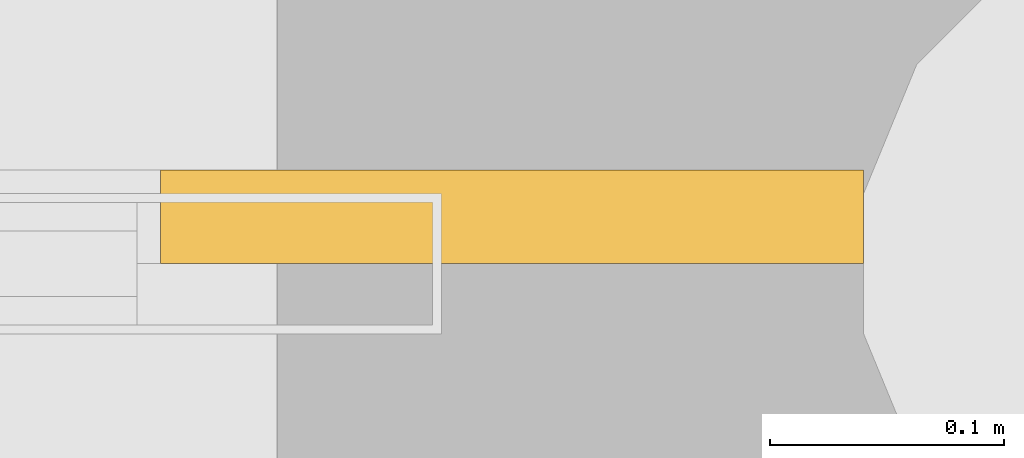
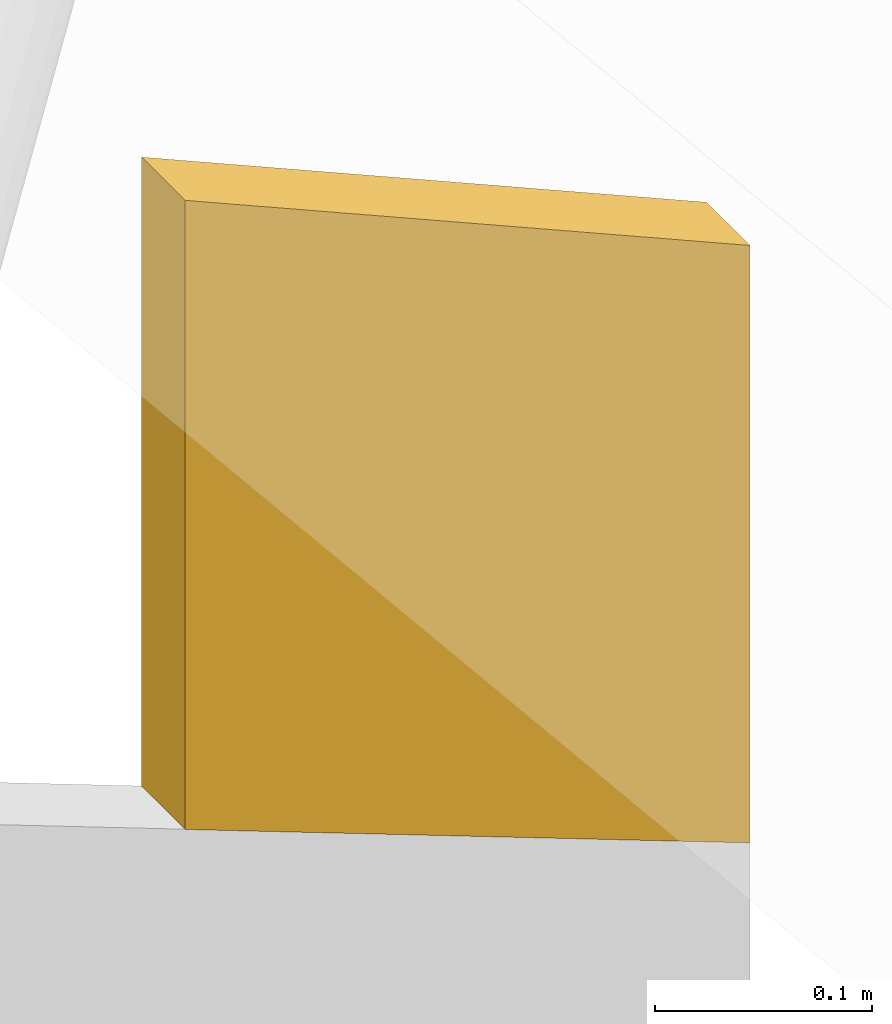
# One storey, part 437 of 437: 1 covering.
"""IFC4 building model written with IfcOpenShell, lengths in metres."""

from ifc_helpers import new_model, si_unit, direction, frame, origin, place, context, subcontext, project, spatial, polyline, outline, extrude, material, layer, layer_set, type_object, element, save


model = new_model("IFC4")

# Units and contexts
model_context = context("Model", 3, precision=1e-05, world=origin(), true_north=direction((0.0, 1.0)))
body_context = subcontext(model_context, "Body", "Model", "MODEL_VIEW")
ifc_project = project(units=[si_unit("LENGTHUNIT", "METRE"), si_unit("AREAUNIT", "SQUARE_METRE"), si_unit("VOLUMEUNIT", "CUBIC_METRE"), si_unit("PLANEANGLEUNIT", "RADIAN"), si_unit("MASSUNIT", "GRAM", prefix="KILO")], contexts=[model_context])

# Site, building, storey
site_placement = place(None, origin())
site = spatial("IfcSite", under=ifc_project, at=site_placement, CompositionType="ELEMENT")
building_placement = place(site_placement, origin())
building = spatial("IfcBuilding", under=site, at=building_placement, Name="Opaline Strait Convention Centre", CompositionType="ELEMENT")
storey_placement = place(building_placement, frame((0.0, 0.0, 11.5)))
storey = spatial("IfcBuildingStorey", under=building, at=storey_placement, Name="L02", CompositionType="ELEMENT", Elevation=11.5)

# Covering
ifc_material = material(Name="Aluminium composite cladding panel, white", Category="aluminium")
ifc_layer = layer(ifc_material, 0.0400390625)
ifc_layer_set = layer_set([ifc_layer], Name="Aluminium composite cladding panel, white")
covering_type = type_object("IfcCoveringType", Name="Shell edge frieze panel 40", PredefinedType="CLADDING", material=ifc_layer_set)
covering_placement = place(storey_placement, frame((71.550048828125, 180.0, 13.88671875), z_axis=(0.0, -1.0, 0.0), x_axis=(0.936297865471, 0.0, -0.351206929196)))
element("IfcCovering", 1, at=covering_placement, inside=storey, type_object=covering_type, Name="PFR1 frieze closure N 73", PredefinedType="CLADDING", context=body_context, shape_type="SweptSolid", body=[
    extrude(outline(polyline([(0.0, 0.0), (0.32046300562076835, 0.0), (0.20265091560237364, 0.31408038748938627), (-0.1240713931998669, 0.3307673367519228), (0.0, 0.0)])), origin(), (0.0, 0.0, -1.0), 0.0400390625),
])

save(model, "model.ifc")
